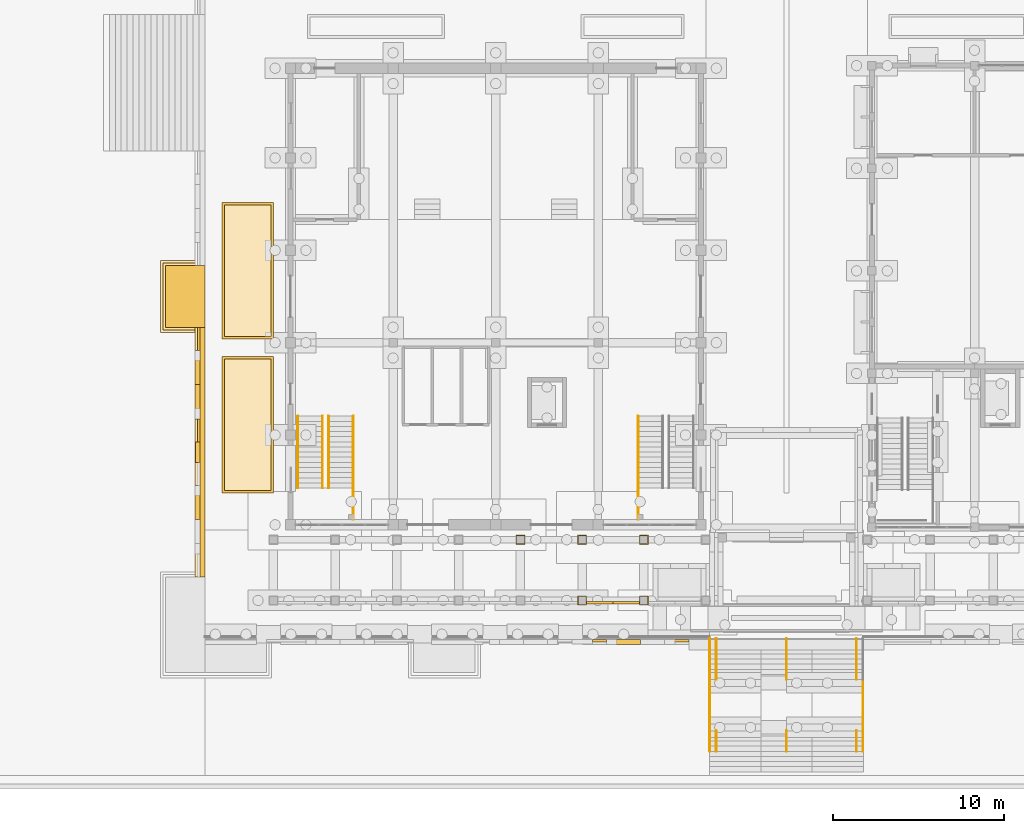
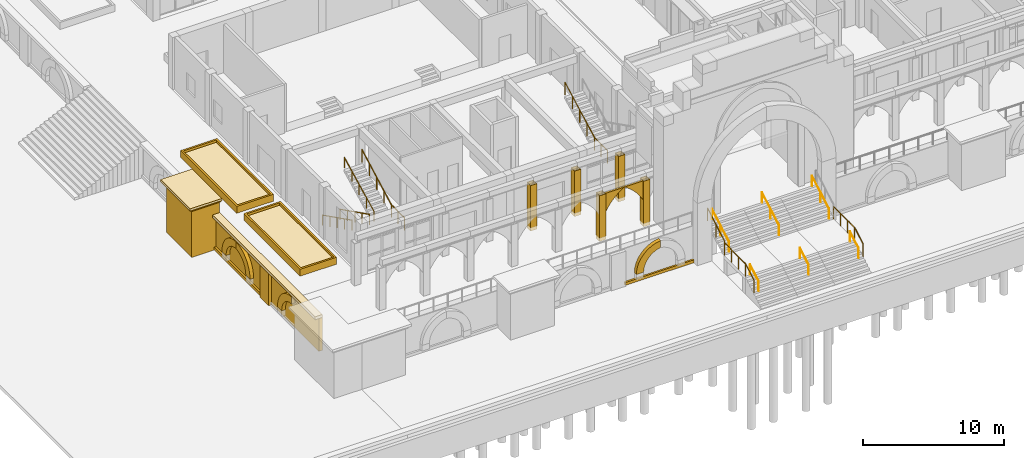
# One storey, part 88 of 161: 23 coverings, 14 railings.
"""IFC4 building model written with IfcOpenShell, lengths in metres."""

from ifc_helpers import new_model, si_unit, direction, frame, origin, origin_2d, place, context, subcontext, project, spatial, polyline, circle, outline, extrude, material, layer, layer_set, type_object, element, save


model = new_model("IFC4")

# Units and contexts
model_context = context("Model", 3, precision=1e-05, world=origin(), true_north=direction((0.0, 1.0)))
body_context = subcontext(model_context, "Body", "Model", "MODEL_VIEW")
ifc_project = project(units=[si_unit("LENGTHUNIT", "METRE"), si_unit("AREAUNIT", "SQUARE_METRE"), si_unit("VOLUMEUNIT", "CUBIC_METRE"), si_unit("PLANEANGLEUNIT", "RADIAN"), si_unit("MASSUNIT", "GRAM", prefix="KILO")], contexts=[model_context])

# Site, building, storey
site_placement = place(None, origin())
site = spatial("IfcSite", under=ifc_project, at=site_placement, CompositionType="ELEMENT")
building_placement = place(site_placement, origin())
building = spatial("IfcBuilding", under=site, at=building_placement, Name="Elbe Cascade School", CompositionType="ELEMENT")
storey_placement = place(building_placement, origin())
storey = spatial("IfcBuildingStorey", under=building, at=storey_placement, Name="L00", CompositionType="ELEMENT", Elevation=0.0)

# Railings
ifc_material_1 = material(Name="Steel S355J2H balustrade", Category="steel")
railing_type_1 = type_object("IfcRailingType", Name="Assembly hall guard 1100", PredefinedType="GUARDRAIL", material=ifc_material_1)
for number, where, name in (
    (1, (8.669921875, 6.449951171875, 2.25), "Assembly hall guard 1100 RL14"),
    (2, (25.330078125, 6.449951171875, 2.25), "Assembly hall guard 1100 RL14"),
):
    element("IfcRailing", number, at=place(storey_placement, frame(where)), inside=storey, type_object=railing_type_1, Name=name, PredefinedType="GUARDRAIL", context=body_context, shape_type="SweptSolid", body=[
        extrude(circle(Radius=0.02490234375, at=origin_2d()), frame((0.0, 0.0, 1.0751953125), z_axis=(0.0, 1.0, 0.0), x_axis=(-1.0, 0.0, 0.0)), (0.0, 0.0, 1.0), 1.85009765625),
        extrude(circle(Radius=0.02490234375, at=origin_2d()), frame((0.0, 1.85009765625, 1.0751953125), z_axis=(0.0, 0.881477684796, 0.472225678258), x_axis=(-1.0, 0.0, 0.0)), (0.0, 0.0, 1.0), 4.7646484375),
        extrude(circle(Radius=0.02001953125, at=origin_2d()), origin(), (0.0, 0.0, 1.0), 1.050048828125),
        extrude(circle(Radius=0.02001953125, at=origin_2d()), frame((0.0, 0.925048828125, 0.0)), (0.0, 0.0, 1.0), 1.050048828125),
        extrude(circle(Radius=0.02001953125, at=origin_2d()), frame((0.0, 1.85009765625, 0.0)), (0.0, 0.0, 1.0), 1.050048828125),
        extrude(circle(Radius=0.02001953125, at=origin_2d()), frame((0.0, 2.900146484375, 0.5625)), (0.0, 0.0, 1.0), 1.050048828125),
        extrude(circle(Radius=0.02001953125, at=origin_2d()), frame((0.0, 3.9501953125, 1.125)), (0.0, 0.0, 1.0), 1.050048828125),
        extrude(circle(Radius=0.02001953125, at=origin_2d()), frame((0.0, 5.0, 1.6875)), (0.0, 0.0, 1.0), 1.050048828125),
        extrude(circle(Radius=0.02001953125, at=origin_2d()), frame((0.0, 6.050048828125, 2.25)), (0.0, 0.0, 1.0), 1.050048828125),
    ])
ifc_material_2 = material(Name="Steel - stainless handrail", Category="steel")
railing_type_2 = type_object("IfcRailingType", Name="Assembly hall handrail 900", PredefinedType="HANDRAIL", material=ifc_material_2)
for number, where, name in (
    (3, (5.429931640625, 12.5, 0.14990234375), "Assembly hall handrail 900 RL15"),
    (4, (6.8701171875, 12.5, 0.14990234375), "Assembly hall handrail 900 RL15"),
):
    element("IfcRailing", number, at=place(storey_placement, frame(where)), inside=storey, type_object=railing_type_2, Name=name, PredefinedType="HANDRAIL", context=body_context, shape_type="SweptSolid", body=[
        extrude(circle(Radius=0.0224609375, at=origin_2d()), frame((0.0, 0.0, 0.87744140625), z_axis=(0.0, -0.894416792377, 0.447234392142), x_axis=(1.0, 0.0, 0.0)), (0.0, 0.0, 1.0), 4.69580078125),
        extrude(circle(Radius=0.02001953125, at=origin_2d()), origin(), (0.0, 0.0, 1.0), 0.85498046875),
        extrude(circle(Radius=0.02001953125, at=origin_2d()), frame((0.0, -1.050048828125, 0.52490234375)), (0.0, 0.0, 1.0), 0.85498046875),
        extrude(circle(Radius=0.02001953125, at=origin_2d()), frame((0.0, -2.10009765625, 1.050048828125)), (0.0, 0.0, 1.0), 0.85498046875),
        extrude(circle(Radius=0.02001953125, at=origin_2d()), frame((0.0, -3.14990234375, 1.5751953125)), (0.0, 0.0, 1.0), 0.85498046875),
        extrude(circle(Radius=0.02001953125, at=origin_2d()), frame((0.0, -4.199951171875, 2.10009765625)), (0.0, 0.0, 1.0), 0.85498046875),
    ])
railing_1_placement = place(storey_placement, frame((7.22998046875, 8.300048828125, 2.39990234375)))
element("IfcRailing", 5, at=railing_1_placement, inside=storey, type_object=railing_type_2, Name="Assembly hall handrail 900 RL15", PredefinedType="HANDRAIL", context=body_context, shape_type="SweptSolid", body=[
    extrude(circle(Radius=0.0224609375, at=origin_2d()), frame((0.0, 0.0, 0.87744140625), z_axis=(0.0, 0.894416792377, 0.447234392142), x_axis=(-1.0, 0.0, 0.0)), (0.0, 0.0, 1.0), 4.69580078125),
    extrude(circle(Radius=0.02001953125, at=origin_2d()), origin(), (0.0, 0.0, 1.0), 0.85498046875),
    extrude(circle(Radius=0.02001953125, at=origin_2d()), frame((0.0, 1.050048828125, 0.52490234375)), (0.0, 0.0, 1.0), 0.85498046875),
    extrude(circle(Radius=0.02001953125, at=origin_2d()), frame((0.0, 2.10009765625, 1.050048828125)), (0.0, 0.0, 1.0), 0.85498046875),
    extrude(circle(Radius=0.02001953125, at=origin_2d()), frame((0.0, 3.14990234375, 1.5751953125)), (0.0, 0.0, 1.0), 0.85498046875),
    extrude(circle(Radius=0.02001953125, at=origin_2d()), frame((0.0, 4.199951171875, 2.10009765625)), (0.0, 0.0, 1.0), 0.85498046875),
])

# Coverings
ifc_material_3 = material(Name="Sandstone - red", Category="masonry")
ifc_layer_1 = layer(ifc_material_3, 0.199951171875)
ifc_layer_set_1 = layer_set([ifc_layer_1], Name="Sandstone - red")
covering_type_1 = type_object("IfcCoveringType", Name="Bastion coping course 200", PredefinedType="CLADDING", material=ifc_layer_set_1)
covering_1_placement = place(storey_placement, frame((0.0, 0.0, 1.0)))
element("IfcCovering", 6, at=covering_1_placement, inside=storey, type_object=covering_type_1, Name="Bastion coping course 1 W1", PredefinedType="CLADDING", context=body_context, shape_type="SweptSolid", body=[
    extrude(outline(polyline([(0.0, 17.550048828125), (0.0, 21.449951171875), (-2.449951171875, 21.449951171875), (-2.449951171875, 17.550048828125), (0.0, 17.550048828125)])), origin(), (0.0, 0.0, 1.0), 0.199951171875),
])
covering_2_placement = place(storey_placement, frame((0.0, 0.0, 1.199951171875)))
element("IfcCovering", 7, at=covering_2_placement, inside=storey, type_object=covering_type_1, Name="Bastion coping course 2 W1", PredefinedType="CLADDING", context=body_context, shape_type="SweptSolid", body=[
    extrude(outline(polyline([(0.0, 17.39990234375), (0.0, 21.60009765625), (-2.60009765625, 21.60009765625), (-2.60009765625, 17.39990234375), (0.0, 17.39990234375)])), origin(), (0.0, 0.0, 1.0), 0.199951171875),
])
ifc_material_4 = material(Name="Sandstone - red", Category="masonry")
ifc_layer_2 = layer(ifc_material_4, 0.14990234375)
ifc_layer_set_2 = layer_set([ifc_layer_2], Name="Sandstone - red")
covering_type_2 = type_object("IfcCoveringType", Name="Plinth base course 150x250", PredefinedType="CLADDING", material=ifc_layer_set_2)
covering_3_placement = place(storey_placement, frame((0.0, 0.0, -3.10009765625)))
element("IfcCovering", 8, at=covering_3_placement, inside=storey, type_object=covering_type_2, Name="Plinth base course west 0.1.2", PredefinedType="CLADDING", context=body_context, shape_type="SweptSolid", body=[
    extrude(outline(polyline([(-0.449951171875, 11.0), (-0.300048828125, 11.0), (-0.300048828125, 17.699951171875), (-0.449951171875, 17.699951171875), (-0.449951171875, 11.0)])), origin(), (0.0, 0.0, 1.0), 0.25),
])
covering_4_placement = place(storey_placement, frame((0.0, 0.0, -3.10009765625)))
element("IfcCovering", 9, at=covering_4_placement, inside=storey, type_object=covering_type_2, Name="Plinth base course south 0.2.2", PredefinedType="CLADDING", context=body_context, shape_type="SweptSolid", body=[
    extrude(outline(polyline([(22.64990234375, -0.7099609375), (28.300048828125, -0.7099609375), (28.300048828125, -0.56005859375), (22.64990234375, -0.56005859375), (22.64990234375, -0.7099609375)])), origin(), (0.0, 0.0, 1.0), 0.25),
])
ifc_material_5 = material(Name="Sandstone - red", Category="masonry")
ifc_layer_3 = layer(ifc_material_5, 2.300048828125)
ifc_layer_set_3 = layer_set([ifc_layer_3], Name="Sandstone - red")
covering_type_3 = type_object("IfcCoveringType", Name="Plinth bastion 3600x2300", PredefinedType="CLADDING", material=ifc_layer_set_3)
covering_5_placement = place(storey_placement, frame((0.0, 0.0, -3.10009765625)))
element("IfcCovering", 10, at=covering_5_placement, inside=storey, type_object=covering_type_3, Name="Plinth bastion W1 1", PredefinedType="CLADDING", context=body_context, shape_type="SweptSolid", body=[
    extrude(outline(polyline([(-2.300048828125, 17.699951171875), (0.0, 17.699951171875), (0.0, 21.300048828125), (-2.300048828125, 21.300048828125), (-2.300048828125, 17.699951171875)])), origin(), (0.0, 0.0, 1.0), 4.10009765625),
])
ifc_material_6 = material(Name="Sandstone - red", Category="masonry")
ifc_layer_4 = layer(ifc_material_6, 0.25)
ifc_layer_set_4 = layer_set([ifc_layer_4], Name="Sandstone - red")
covering_type_4 = type_object("IfcCoveringType", Name="Plinth coping 600x250", PredefinedType="CLADDING", material=ifc_layer_set_4)
covering_6_placement = place(storey_placement, frame((0.0, 0.0, -0.25)))
element("IfcCovering", 11, at=covering_6_placement, inside=storey, type_object=covering_type_4, Name="Plinth coping west 1", PredefinedType="CLADDING", context=body_context, shape_type="SweptSolid", body=[
    extrude(outline(polyline([(-0.60009765625, 3.10009765625), (0.0, 3.10009765625), (0.0, 17.699951171875), (-0.60009765625, 17.699951171875), (-0.60009765625, 3.10009765625)])), origin(), (0.0, 0.0, 1.0), 0.25),
])
ifc_material_7 = material(Name="Sandstone - red", Category="masonry")
ifc_layer_5 = layer(ifc_material_7, 0.300048828125)
ifc_layer_set_5 = layer_set([ifc_layer_5], Name="Sandstone - red")
covering_type_5 = type_object("IfcCoveringType", Name="Plinth facing 300", PredefinedType="CLADDING", material=ifc_layer_set_5)
covering_7_placement = place(storey_placement, frame((0.0, 0.0, -3.10009765625)))
element("IfcCovering", 12, at=covering_7_placement, inside=storey, type_object=covering_type_5, Name="Plinth facing west 1", PredefinedType="CLADDING", context=body_context, shape_type="SweptSolid", body=[
    extrude(outline(polyline([(-0.300048828125, 3.10009765625), (0.0, 3.10009765625), (0.0, 17.699951171875), (-0.300048828125, 17.699951171875), (-0.300048828125, 3.10009765625)])), origin(), (0.0, 0.0, 1.0), 2.85009765625),
])
ifc_material_8 = material(Name="Sandstone - red", Category="masonry")
ifc_layer_6 = layer(ifc_material_8, 0.300048828125)
ifc_layer_set_6 = layer_set([ifc_layer_6], Name="Sandstone - red")
covering_type_6 = type_object("IfcCoveringType", Name="Plinth niche arch band 600x300", PredefinedType="CLADDING", material=ifc_layer_set_6)
covering_8_placement = place(storey_placement, frame((-0.60009765625, 8.449951171875, -2.35009765625), z_axis=(-1.0, 0.0, 0.0), x_axis=(0.0, -1.0, 0.0)))
element("IfcCovering", 13, at=covering_8_placement, inside=storey, type_object=covering_type_6, Name="Plinth niche arch band west 0.1.1a", PredefinedType="CLADDING", context=body_context, shape_type="SweptSolid", body=[
    extrude(outline(polyline([(0.0, 0.0), (0.599853515625, 0.0), (0.616943359375, 0.221923828125), (0.66796875, 0.438720703125), (0.751220703125, 0.64501953125), (0.865234375, 0.83642578125), (1.007080078125, 1.0078125), (1.173583984375, 1.15576171875), (1.360595703125, 1.2763671875), (1.56396484375, 1.366943359375), (1.77880859375, 1.42529296875), (2.0, 1.4501953125), (2.0, 2.05029296875), (1.684814453125, 2.01806640625), (1.37841796875, 1.9375), (1.088134765625, 1.81103515625), (0.82080078125, 1.64111328125), (0.582763671875, 1.43212890625), (0.379638671875, 1.189208984375), (0.216552734375, 0.91748046875), (0.09716796875, 0.624267578125), (0.0244140625, 0.31591796875), (0.0, 0.0)])), origin(), (0.0, 0.0, -1.0), 0.300048828125),
])
covering_9_placement = place(storey_placement, frame((-0.60009765625, 16.35009765625, -2.35009765625), z_axis=(-1.0, 0.0, 0.0), x_axis=(0.0, -1.0, 0.0)))
element("IfcCovering", 14, at=covering_9_placement, inside=storey, type_object=covering_type_6, Name="Plinth niche arch band west 0.1.2a", PredefinedType="CLADDING", context=body_context, shape_type="SweptSolid", body=[
    extrude(outline(polyline([(0.0, 0.0), (0.60009765625, 0.0), (0.6171875, 0.221923828125), (0.66796875, 0.438720703125), (0.75146484375, 0.64501953125), (0.865234375, 0.83642578125), (1.007080078125, 1.0078125), (1.173583984375, 1.15576171875), (1.36083984375, 1.2763671875), (1.564208984375, 1.366943359375), (1.77880859375, 1.42529296875), (2.0, 1.4501953125), (2.0, 2.05029296875), (1.68505859375, 2.01806640625), (1.378662109375, 1.9375), (1.08837890625, 1.81103515625), (0.82080078125, 1.64111328125), (0.5830078125, 1.43212890625), (0.3798828125, 1.189208984375), (0.216796875, 0.91748046875), (0.097412109375, 0.624267578125), (0.024658203125, 0.31591796875), (0.0, 0.0)])), origin(), (0.0, 0.0, -1.0), 0.300048828125),
])
covering_10_placement = place(storey_placement, frame((-0.60009765625, 12.37451171875, -2.0341796875), z_axis=(-1.0, 0.0, 0.0), x_axis=(0.0, 0.229640615433, 0.973275494268)))
element("IfcCovering", 15, at=covering_10_placement, inside=storey, type_object=covering_type_6, Name="Plinth niche arch band west 0.1.2b", PredefinedType="CLADDING", context=body_context, shape_type="SweptSolid", body=[
    extrude(outline(polyline([(0.0, 0.0), (0.31681637027835047, 0.0), (0.6296088823787412, 0.04886067811575373), (0.9315267427864806, 0.14518832098545423), (1.2146004998268738, 0.2871006253983999), (1.4726628589921735, 0.4707850101886869), (1.699434396567878, 0.6919536620154754), (1.8891803432917578, 0.9454377254653902), (2.037954729394572, 1.2251445961231031), (2.1416994559003246, 1.5245064373983495), (1.5576391129042635, 1.662313232499558), (1.4826077413227772, 1.4527516467981305), (1.3764806454459984, 1.2570489300335477), (1.2416232623821883, 1.0799146970257483), (1.081295428986102, 0.9255966880936953), (0.8990640204772993, 0.7975176660871937), (0.6996279279093016, 0.6985824547516934), (0.4872108101606949, 0.6318080070394001), (0.26725112189532263, 0.5979178949791348), (0.04458659872137888, 0.5982791165847868), (-0.17533094702333402, 0.6326087149319284), (-0.3130816775211652, 0.04878598802333507), (0.0, 0.0)])), origin(), (0.0, 0.0, -1.0), 0.300048828125),
])
covering_11_placement = place(storey_placement, frame((23.47509765625, -0.860107421875, -2.35009765625), z_axis=(0.0, -1.0, 0.0), x_axis=(1.0, 0.0, 0.0)))
element("IfcCovering", 16, at=covering_11_placement, inside=storey, type_object=covering_type_6, Name="Plinth niche arch band south 0.2.2a", PredefinedType="CLADDING", context=body_context, shape_type="SweptSolid", body=[
    extrude(outline(polyline([(0.0, 0.0), (0.599853515625, 0.0), (0.616455078125, 0.234619140625), (0.665771484375, 0.464599609375), (0.74658203125, 0.685302734375), (0.85791015625, 0.892578125), (0.9970703125, 1.08203125), (1.161376953125, 1.250244140625), (1.34765625, 1.393798828125), (1.55224609375, 1.509521484375), (1.771240234375, 1.595703125), (2.0, 1.650146484375), (2.0, 2.256103515625), (1.676513671875, 2.193115234375), (1.365966796875, 2.083984375), (1.07421875, 1.930908203125), (0.8076171875, 1.737548828125), (0.572021484375, 1.507568359375), (0.371826171875, 1.245849609375), (0.211669921875, 0.9580078125), (0.094970703125, 0.650146484375), (0.023681640625, 0.32861328125), (0.0, 0.0)])), origin(), (0.0, 0.0, -1.0), 0.300048828125),
])
ifc_material_9 = material(Name="Sandstone - red", Category="masonry")
ifc_layer_7 = layer(ifc_material_9, 0.25)
ifc_layer_set_7 = layer_set([ifc_layer_7], Name="Sandstone - red")
covering_type_7 = type_object("IfcCoveringType", Name="Plinth pilaster 1200x250", PredefinedType="CLADDING", material=ifc_layer_set_7)
covering_12_placement = place(storey_placement, frame((0.0, 0.0, -3.10009765625)))
element("IfcCovering", 17, at=covering_12_placement, inside=storey, type_object=covering_type_7, Name="Plinth pilaster west 0.1.1", PredefinedType="CLADDING", context=body_context, shape_type="SweptSolid", body=[
    extrude(outline(polyline([(-0.550048828125, 9.800048828125), (-0.300048828125, 9.800048828125), (-0.300048828125, 11.0), (-0.550048828125, 11.0), (-0.550048828125, 9.800048828125)])), origin(), (0.0, 0.0, 1.0), 2.85009765625),
])

# Railings
ifc_material_10 = material(Name="Steel S355J2H", Category="steel")
railing_type_3 = type_object("IfcRailingType", Name="Quay and steps guard 1100", PredefinedType="GUARDRAIL", material=ifc_material_10)
railing_2_placement = place(storey_placement, frame((29.52099609375, -7.10009765625, -2.239013671875)))
element("IfcRailing", 18, at=railing_2_placement, inside=storey, type_object=railing_type_3, Name="River steps guard west lower", PredefinedType="GUARDRAIL", context=body_context, shape_type="SweptSolid", body=[
    extrude(circle(Radius=0.02392578125, at=origin_2d()), frame((0.0, 0.0, 1.076171875), z_axis=(0.0, 0.867264381455, 0.497847860957), x_axis=(-1.0, 0.0, 0.0)), (0.0, 0.0, 1.0), 1.3837890625),
    extrude(circle(Radius=0.02392578125, at=origin_2d()), frame((0.0, 1.2001953125, 1.76513671875), z_axis=(0.0, 1.0, 0.0), x_axis=(-1.0, 0.0, 0.0)), (0.0, 0.0, 1.0), 3.0),
    extrude(circle(Radius=0.02099609375, at=origin_2d()), origin(), (0.0, 0.0, 1.0), 1.052001953125),
    extrude(circle(Radius=0.02099609375, at=origin_2d()), frame((0.0, 1.2001953125, 0.68896484375)), (0.0, 0.0, 1.0), 1.052001953125),
    extrude(circle(Radius=0.02099609375, at=origin_2d()), frame((0.0, 2.2001953125, 0.68896484375)), (0.0, 0.0, 1.0), 1.052001953125),
    extrude(circle(Radius=0.02099609375, at=origin_2d()), frame((0.0, 3.2001953125, 0.68896484375)), (0.0, 0.0, 1.0), 1.052001953125),
    extrude(circle(Radius=0.02099609375, at=origin_2d()), frame((0.0, 4.2001953125, 0.68896484375)), (0.0, 0.0, 1.0), 1.052001953125),
])
railing_3_placement = place(storey_placement, frame((29.52099609375, -2.89990234375, -1.377685546875)))
element("IfcRailing", 19, at=railing_3_placement, inside=storey, type_object=railing_type_3, Name="River steps guard west upper", PredefinedType="GUARDRAIL", context=body_context, shape_type="SweptSolid", body=[
    extrude(circle(Radius=0.02392578125, at=origin_2d()), frame((0.0, 0.0, 1.076171875), z_axis=(0.0, 0.867296832788, 0.497791325594), x_axis=(-1.0, 0.0, 0.0)), (0.0, 0.0, 1.0), 1.383544921875),
    extrude(circle(Radius=0.02392578125, at=origin_2d()), frame((0.0, 1.199951171875, 1.7646484375), z_axis=(0.0, 0.867220646105, 0.497924041365), x_axis=(-1.0, 0.0, 0.0)), (0.0, 0.0, 1.0), 1.3837890625),
    extrude(circle(Radius=0.02099609375, at=origin_2d()), origin(), (0.0, 0.0, 1.0), 1.052001953125),
    extrude(circle(Radius=0.02099609375, at=origin_2d()), frame((0.0, 1.199951171875, 0.688720703125)), (0.0, 0.0, 1.0), 1.052001953125),
    extrude(circle(Radius=0.02099609375, at=origin_2d()), frame((0.0, 2.39990234375, 1.377685546875)), (0.0, 0.0, 1.0), 1.052001953125),
])
railing_4_placement = place(storey_placement, frame((38.47900390625, -7.10009765625, -2.239013671875)))
element("IfcRailing", 20, at=railing_4_placement, inside=storey, type_object=railing_type_3, Name="River steps guard east lower", PredefinedType="GUARDRAIL", context=body_context, shape_type="SweptSolid", body=[
    extrude(circle(Radius=0.02392578125, at=origin_2d()), frame((0.0, 0.0, 1.076171875), z_axis=(0.0, 0.867264381455, 0.497847860957), x_axis=(-1.0, 0.0, 0.0)), (0.0, 0.0, 1.0), 1.3837890625),
    extrude(circle(Radius=0.02392578125, at=origin_2d()), frame((0.0, 1.2001953125, 1.76513671875), z_axis=(0.0, 1.0, 0.0), x_axis=(-1.0, 0.0, 0.0)), (0.0, 0.0, 1.0), 3.0),
    extrude(circle(Radius=0.02099609375, at=origin_2d()), origin(), (0.0, 0.0, 1.0), 1.052001953125),
    extrude(circle(Radius=0.02099609375, at=origin_2d()), frame((0.0, 1.2001953125, 0.68896484375)), (0.0, 0.0, 1.0), 1.052001953125),
    extrude(circle(Radius=0.02099609375, at=origin_2d()), frame((0.0, 2.2001953125, 0.68896484375)), (0.0, 0.0, 1.0), 1.052001953125),
    extrude(circle(Radius=0.02099609375, at=origin_2d()), frame((0.0, 3.2001953125, 0.68896484375)), (0.0, 0.0, 1.0), 1.052001953125),
    extrude(circle(Radius=0.02099609375, at=origin_2d()), frame((0.0, 4.2001953125, 0.68896484375)), (0.0, 0.0, 1.0), 1.052001953125),
])
ifc_material_11 = material(Name="Steel S355J2H", Category="steel")
railing_type_4 = type_object("IfcRailingType", Name="Quay and steps handrail 900", PredefinedType="HANDRAIL", material=ifc_material_11)
railing_5_placement = place(storey_placement, frame((29.89990234375, -7.10009765625, -2.239013671875)))
element("IfcRailing", 21, at=railing_5_placement, inside=storey, type_object=railing_type_4, Name="River steps handrail west lower", PredefinedType="HANDRAIL", context=body_context, shape_type="SweptSolid", body=[
    extrude(circle(Radius=0.02392578125, at=origin_2d()), frame((0.0, 0.0, 0.8759765625), z_axis=(0.0, 0.867264381455, 0.497847860957), x_axis=(-1.0, 0.0, 0.0)), (0.0, 0.0, 1.0), 1.3837890625),
    extrude(circle(Radius=0.02099609375, at=origin_2d()), origin(), (0.0, 0.0, 1.0), 0.851806640625),
    extrude(circle(Radius=0.02099609375, at=origin_2d()), frame((0.0, 1.2001953125, 0.68896484375)), (0.0, 0.0, 1.0), 0.851806640625),
])
railing_6_placement = place(storey_placement, frame((29.89990234375, -2.89990234375, -1.377685546875)))
element("IfcRailing", 22, at=railing_6_placement, inside=storey, type_object=railing_type_4, Name="River steps handrail west upper", PredefinedType="HANDRAIL", context=body_context, shape_type="SweptSolid", body=[
    extrude(circle(Radius=0.02392578125, at=origin_2d()), frame((0.0, 0.0, 0.8759765625), z_axis=(0.0, 0.867296832788, 0.497791325594), x_axis=(-1.0, 0.0, 0.0)), (0.0, 0.0, 1.0), 1.383544921875),
    extrude(circle(Radius=0.02392578125, at=origin_2d()), frame((0.0, 1.199951171875, 1.564453125), z_axis=(0.0, 0.867220646105, 0.497924041365), x_axis=(-1.0, 0.0, 0.0)), (0.0, 0.0, 1.0), 1.3837890625),
    extrude(circle(Radius=0.02099609375, at=origin_2d()), origin(), (0.0, 0.0, 1.0), 0.851806640625),
    extrude(circle(Radius=0.02099609375, at=origin_2d()), frame((0.0, 1.199951171875, 0.688720703125)), (0.0, 0.0, 1.0), 0.851806640625),
    extrude(circle(Radius=0.02099609375, at=origin_2d()), frame((0.0, 2.39990234375, 1.377685546875)), (0.0, 0.0, 1.0), 0.851806640625),
])
railing_7_placement = place(storey_placement, frame((34.0, -7.10009765625, -2.239013671875)))
element("IfcRailing", 23, at=railing_7_placement, inside=storey, type_object=railing_type_4, Name="River steps handrail centre lower", PredefinedType="HANDRAIL", context=body_context, shape_type="SweptSolid", body=[
    extrude(circle(Radius=0.02392578125, at=origin_2d()), frame((0.0, 0.0, 0.8759765625), z_axis=(0.0, 0.867264381455, 0.497847860957), x_axis=(-1.0, 0.0, 0.0)), (0.0, 0.0, 1.0), 1.3837890625),
    extrude(circle(Radius=0.02099609375, at=origin_2d()), origin(), (0.0, 0.0, 1.0), 0.851806640625),
    extrude(circle(Radius=0.02099609375, at=origin_2d()), frame((0.0, 1.2001953125, 0.68896484375)), (0.0, 0.0, 1.0), 0.851806640625),
])
railing_8_placement = place(storey_placement, frame((34.0, -2.89990234375, -1.377685546875)))
element("IfcRailing", 24, at=railing_8_placement, inside=storey, type_object=railing_type_4, Name="River steps handrail centre upper", PredefinedType="HANDRAIL", context=body_context, shape_type="SweptSolid", body=[
    extrude(circle(Radius=0.02392578125, at=origin_2d()), frame((0.0, 0.0, 0.8759765625), z_axis=(0.0, 0.867296832788, 0.497791325594), x_axis=(-1.0, 0.0, 0.0)), (0.0, 0.0, 1.0), 1.383544921875),
    extrude(circle(Radius=0.02392578125, at=origin_2d()), frame((0.0, 1.199951171875, 1.564453125), z_axis=(0.0, 0.867220646105, 0.497924041365), x_axis=(-1.0, 0.0, 0.0)), (0.0, 0.0, 1.0), 1.3837890625),
    extrude(circle(Radius=0.02099609375, at=origin_2d()), origin(), (0.0, 0.0, 1.0), 0.851806640625),
    extrude(circle(Radius=0.02099609375, at=origin_2d()), frame((0.0, 1.199951171875, 0.688720703125)), (0.0, 0.0, 1.0), 0.851806640625),
    extrude(circle(Radius=0.02099609375, at=origin_2d()), frame((0.0, 2.39990234375, 1.377685546875)), (0.0, 0.0, 1.0), 0.851806640625),
])
railing_9_placement = place(storey_placement, frame((38.10009765625, -7.10009765625, -2.239013671875)))
element("IfcRailing", 25, at=railing_9_placement, inside=storey, type_object=railing_type_4, Name="River steps handrail east lower", PredefinedType="HANDRAIL", context=body_context, shape_type="SweptSolid", body=[
    extrude(circle(Radius=0.02392578125, at=origin_2d()), frame((0.0, 0.0, 0.8759765625), z_axis=(0.0, 0.867264381455, 0.497847860957), x_axis=(-1.0, 0.0, 0.0)), (0.0, 0.0, 1.0), 1.3837890625),
    extrude(circle(Radius=0.02099609375, at=origin_2d()), origin(), (0.0, 0.0, 1.0), 0.851806640625),
    extrude(circle(Radius=0.02099609375, at=origin_2d()), frame((0.0, 1.2001953125, 0.68896484375)), (0.0, 0.0, 1.0), 0.851806640625),
])
railing_10_placement = place(storey_placement, frame((38.10009765625, -2.89990234375, -1.377685546875)))
element("IfcRailing", 26, at=railing_10_placement, inside=storey, type_object=railing_type_4, Name="River steps handrail east upper", PredefinedType="HANDRAIL", context=body_context, shape_type="SweptSolid", body=[
    extrude(circle(Radius=0.02392578125, at=origin_2d()), frame((0.0, 0.0, 0.8759765625), z_axis=(0.0, 0.867296832788, 0.497791325594), x_axis=(-1.0, 0.0, 0.0)), (0.0, 0.0, 1.0), 1.383544921875),
    extrude(circle(Radius=0.02392578125, at=origin_2d()), frame((0.0, 1.199951171875, 1.564453125), z_axis=(0.0, 0.867220646105, 0.497924041365), x_axis=(-1.0, 0.0, 0.0)), (0.0, 0.0, 1.0), 1.3837890625),
    extrude(circle(Radius=0.02099609375, at=origin_2d()), origin(), (0.0, 0.0, 1.0), 0.851806640625),
    extrude(circle(Radius=0.02099609375, at=origin_2d()), frame((0.0, 1.199951171875, 0.688720703125)), (0.0, 0.0, 1.0), 0.851806640625),
    extrude(circle(Radius=0.02099609375, at=origin_2d()), frame((0.0, 2.39990234375, 1.377685546875)), (0.0, 0.0, 1.0), 0.851806640625),
])

# Coverings
ifc_material_12 = material(Name="Sandstone - red", Category="masonry")
ifc_layer_8 = layer(ifc_material_12, 0.14990234375)
ifc_layer_set_8 = layer_set([ifc_layer_8], Name="Sandstone - red")
covering_type_8 = type_object("IfcCoveringType", Name="Sandstone arch spandrel 3081x150", PredefinedType="CLADDING", material=ifc_layer_set_8)
covering_13_placement = place(storey_placement, frame((22.318603515625, 1.52490234375, 3.64990234375), z_axis=(0.0, -1.0, 0.0), x_axis=(0.0, 0.0, -1.0)))
element("IfcCovering", 27, at=covering_13_placement, inside=storey, type_object=covering_type_8, Name="Colonnade arch spandrel 6l", PredefinedType="CLADDING", context=body_context, shape_type="SweptSolid", body=[
    extrude(outline(polyline([(0.0, 0.0), (1.64990234375, 0.0), (1.39892578125, 0.13720703125), (1.15869140625, 0.292236328125), (0.929931640625, 0.4638671875), (0.714111328125, 0.6513671875), (0.51220703125, 0.85400390625), (0.3251953125, 1.0703125), (0.154052734375, 1.299560546875), (0.0, 1.540283203125), (0.0, 0.0)])), origin(), (0.0, 0.0, -1.0), 0.14990234375),
])
covering_14_placement = place(storey_placement, frame((23.85888671875, 1.52490234375, 3.64990234375), z_axis=(0.0, -1.0, 0.0), x_axis=(0.842534850417, 0.0, -0.538641834461)))
element("IfcCovering", 28, at=covering_14_placement, inside=storey, type_object=covering_type_8, Name="Colonnade arch spandrel 6r", PredefinedType="CLADDING", context=body_context, shape_type="SweptSolid", body=[
    extrude(outline(polyline([(0.0, 0.0), (0.2860021716082097, 0.0), (0.5713361927262486, -0.020710997945159404), (0.8543160566587081, -0.061762030681235036), (1.133592958049261, -0.12285632768483229), (1.4080237885265454, -0.2035656140784401), (1.6758483487643039, -0.3038561280468969), (1.9356605216829417, -0.422888200742761), (2.186654400250178, -0.5603077499193704), (1.2979479751304581, 0.8297924744755006), (0.0, 0.0)])), origin(), (0.0, 0.0, -1.0), 0.14990234375),
])
ifc_material_13 = material(Name="Sandstone - red", Category="masonry")
ifc_layer_9 = layer(ifc_material_13, 0.0400390625)
ifc_layer_set_9 = layer_set([ifc_layer_9], Name="Sandstone - red")
covering_type_9 = type_object("IfcCoveringType", Name="Sandstone column cladding 40", PredefinedType="CLADDING", material=ifc_layer_set_9)
covering_15_placement = place(storey_placement, frame((0.0, 0.0, -0.300048828125)))
element("IfcCovering", 29, at=covering_15_placement, inside=storey, type_object=covering_type_9, Name="Colonnade column sandstone cladding F6", PredefinedType="CLADDING", context=body_context, shape_type="SweptSolid", body=[
    extrude(outline(polyline([(21.78857421875, 1.4599609375), (22.318603515625, 1.4599609375), (22.318603515625, 1.989990234375), (21.78857421875, 1.989990234375), (21.78857421875, 1.4599609375)]), holes=[polyline([(21.82861328125, 1.949951171875), (22.278564453125, 1.949951171875), (22.278564453125, 1.5), (21.82861328125, 1.5), (21.82861328125, 1.949951171875)])]), origin(), (0.0, 0.0, 1.0), 3.949951171875),
])
covering_16_placement = place(storey_placement, frame((0.0, 0.0, -0.300048828125)))
element("IfcCovering", 30, at=covering_16_placement, inside=storey, type_object=covering_type_9, Name="Colonnade column sandstone cladding F7", PredefinedType="CLADDING", context=body_context, shape_type="SweptSolid", body=[
    extrude(outline(polyline([(25.3994140625, 1.4599609375), (25.92919921875, 1.4599609375), (25.92919921875, 1.989990234375), (25.3994140625, 1.989990234375), (25.3994140625, 1.4599609375)]), holes=[polyline([(25.439208984375, 1.949951171875), (25.889404296875, 1.949951171875), (25.889404296875, 1.5), (25.439208984375, 1.5), (25.439208984375, 1.949951171875)])]), origin(), (0.0, 0.0, 1.0), 3.949951171875),
])
covering_17_placement = place(storey_placement, frame((0.0, 0.0, -0.300048828125)))
element("IfcCovering", 31, at=covering_17_placement, inside=storey, type_object=covering_type_9, Name="Colonnade column sandstone cladding R5", PredefinedType="CLADDING", context=body_context, shape_type="SweptSolid", body=[
    extrude(outline(polyline([(18.177978515625, 5.010009765625), (18.7080078125, 5.010009765625), (18.7080078125, 5.5400390625), (18.177978515625, 5.5400390625), (18.177978515625, 5.010009765625)]), holes=[polyline([(18.218017578125, 5.5), (18.66796875, 5.5), (18.66796875, 5.050048828125), (18.218017578125, 5.050048828125), (18.218017578125, 5.5)])]), origin(), (0.0, 0.0, 1.0), 3.949951171875),
])
covering_18_placement = place(storey_placement, frame((0.0, 0.0, -0.300048828125)))
element("IfcCovering", 32, at=covering_18_placement, inside=storey, type_object=covering_type_9, Name="Colonnade column sandstone cladding R6", PredefinedType="CLADDING", context=body_context, shape_type="SweptSolid", body=[
    extrude(outline(polyline([(21.78857421875, 5.010009765625), (22.318603515625, 5.010009765625), (22.318603515625, 5.5400390625), (21.78857421875, 5.5400390625), (21.78857421875, 5.010009765625)]), holes=[polyline([(21.82861328125, 5.5), (22.278564453125, 5.5), (22.278564453125, 5.050048828125), (21.82861328125, 5.050048828125), (21.82861328125, 5.5)])]), origin(), (0.0, 0.0, 1.0), 3.949951171875),
])
covering_19_placement = place(storey_placement, frame((0.0, 0.0, -0.300048828125)))
element("IfcCovering", 33, at=covering_19_placement, inside=storey, type_object=covering_type_9, Name="Colonnade column sandstone cladding R7", PredefinedType="CLADDING", context=body_context, shape_type="SweptSolid", body=[
    extrude(outline(polyline([(25.3994140625, 5.010009765625), (25.92919921875, 5.010009765625), (25.92919921875, 5.5400390625), (25.3994140625, 5.5400390625), (25.3994140625, 5.010009765625)]), holes=[polyline([(25.439208984375, 5.5), (25.889404296875, 5.5), (25.889404296875, 5.050048828125), (25.439208984375, 5.050048828125), (25.439208984375, 5.5)])]), origin(), (0.0, 0.0, 1.0), 3.949951171875),
])
ifc_material_14 = material(Name="Planting - soil and shrubs", Category="soil")
ifc_layer_10 = layer(ifc_material_14, 0.39990234375)
ifc_layer_set_10 = layer_set([ifc_layer_10], Name="Planting - soil and shrubs")
covering_type_10 = type_object("IfcCoveringType", Name="Site planting bed 400", PredefinedType="USERDEFINED", material=ifc_layer_set_10)
covering_20_placement = place(storey_placement, origin())
element("IfcCovering", 34, at=covering_20_placement, inside=storey, type_object=covering_type_10, Name="Deck planting bed west a.1", ObjectType="PLANTING BED", PredefinedType="USERDEFINED", context=body_context, shape_type="SweptSolid", body=[
    extrude(outline(polyline([(1.14990234375, 8.14990234375), (3.85009765625, 8.14990234375), (3.85009765625, 15.85009765625), (1.14990234375, 15.85009765625), (1.14990234375, 8.14990234375)])), origin(), (0.0, 0.0, 1.0), 0.39990234375),
])
covering_21_placement = place(storey_placement, origin())
element("IfcCovering", 35, at=covering_21_placement, inside=storey, type_object=covering_type_10, Name="Deck planting bed west a.2", ObjectType="PLANTING BED", PredefinedType="USERDEFINED", context=body_context, shape_type="SweptSolid", body=[
    extrude(outline(polyline([(1.14990234375, 17.14990234375), (3.85009765625, 17.14990234375), (3.85009765625, 24.85009765625), (1.14990234375, 24.85009765625), (1.14990234375, 17.14990234375)])), origin(), (0.0, 0.0, 1.0), 0.39990234375),
])
ifc_material_15 = material(Name="Concrete C30/37 precast kerb", Category="concrete")
ifc_layer_11 = layer(ifc_material_15, 0.14990234375)
ifc_layer_set_11 = layer_set([ifc_layer_11], Name="Concrete C30/37 precast kerb")
covering_type_11 = type_object("IfcCoveringType", Name="Site planting bed kerb 150x600", PredefinedType="CLADDING", material=ifc_layer_set_11)
covering_22_placement = place(storey_placement, origin())
element("IfcCovering", 36, at=covering_22_placement, inside=storey, type_object=covering_type_11, Name="Deck planting bed kerb west a.1", PredefinedType="CLADDING", context=body_context, shape_type="SweptSolid", body=[
    extrude(outline(polyline([(1.0, 8.0), (4.0, 8.0), (4.0, 16.0), (1.0, 16.0), (1.0, 8.0)]), holes=[polyline([(1.14990234375, 8.14990234375), (3.85009765625, 8.14990234375), (3.85009765625, 15.85009765625), (1.14990234375, 15.85009765625), (1.14990234375, 8.14990234375)])]), origin(), (0.0, 0.0, 1.0), 0.60009765625),
])
covering_23_placement = place(storey_placement, origin())
element("IfcCovering", 37, at=covering_23_placement, inside=storey, type_object=covering_type_11, Name="Deck planting bed kerb west a.2", PredefinedType="CLADDING", context=body_context, shape_type="SweptSolid", body=[
    extrude(outline(polyline([(1.0, 17.0), (4.0, 17.0), (4.0, 25.0), (1.0, 25.0), (1.0, 17.0)]), holes=[polyline([(1.14990234375, 17.14990234375), (3.85009765625, 17.14990234375), (3.85009765625, 24.85009765625), (1.14990234375, 24.85009765625), (1.14990234375, 17.14990234375)])]), origin(), (0.0, 0.0, 1.0), 0.60009765625),
])

save(model, "model.ifc")
